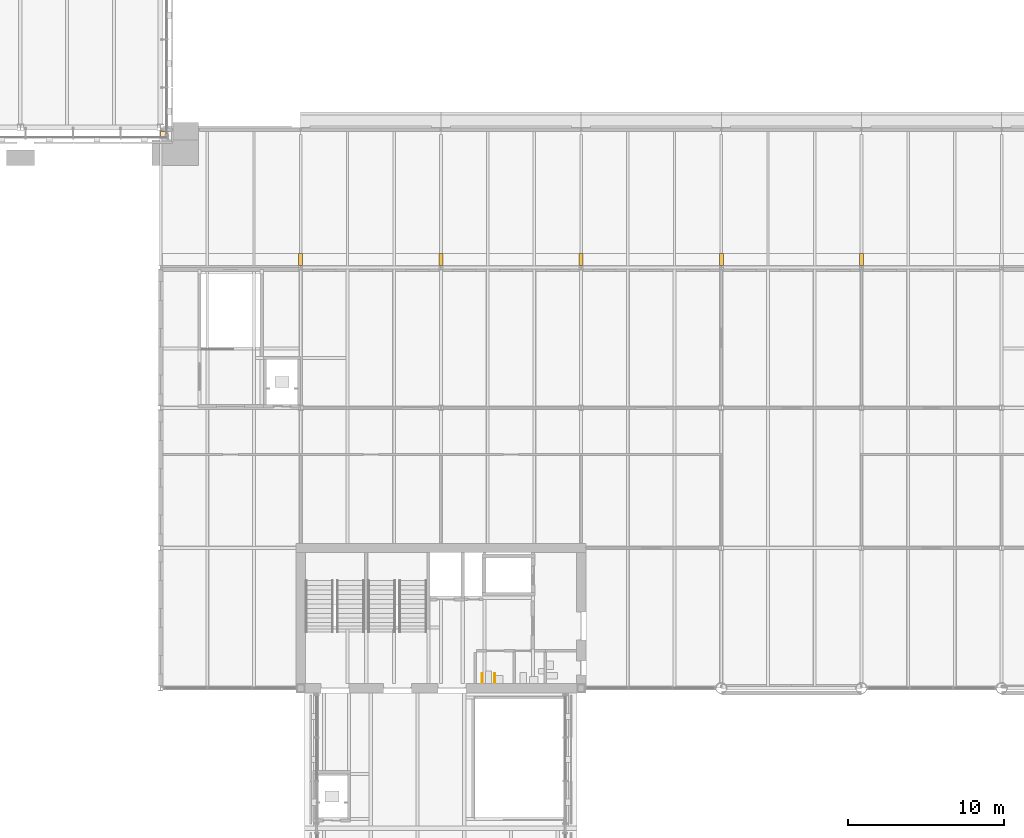
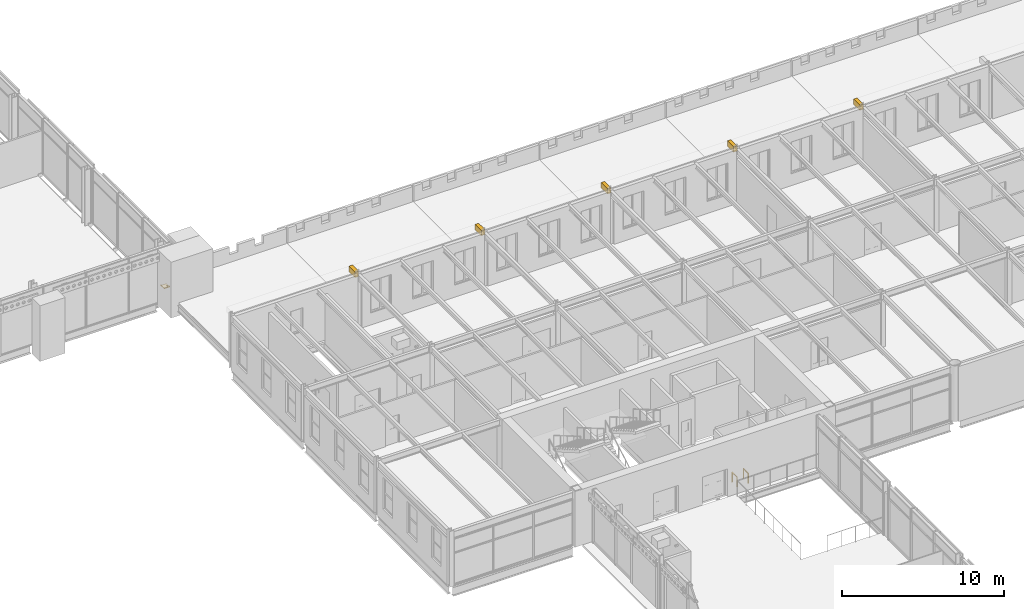
# One storey, part 115 of 123: 6 coverings, 2 railings.
"""IFC4 building model written with IfcOpenShell, lengths in metres."""

from ifc_helpers import new_model, si_unit, direction, frame, origin, origin_2d, place, context, subcontext, project, spatial, polyline, circle, outline, extrude, material, layer, layer_set, type_object, element, save


model = new_model("IFC4")

# Units and contexts
model_context = context("Model", 3, precision=1e-05, world=origin(), true_north=direction((0.0, 1.0)))
body_context = subcontext(model_context, "Body", "Model", "MODEL_VIEW")
ifc_project = project(units=[si_unit("LENGTHUNIT", "METRE"), si_unit("AREAUNIT", "SQUARE_METRE"), si_unit("VOLUMEUNIT", "CUBIC_METRE"), si_unit("PLANEANGLEUNIT", "RADIAN"), si_unit("MASSUNIT", "GRAM", prefix="KILO")], contexts=[model_context])

# Site, building, storey
site_placement = place(None, origin())
site = spatial("IfcSite", under=ifc_project, at=site_placement, CompositionType="ELEMENT")
building_placement = place(site_placement, origin())
building = spatial("IfcBuilding", under=site, at=building_placement, Name="Baradari Gate Terminus", CompositionType="ELEMENT")
storey_placement = place(building_placement, frame((0.0, 0.0, 7.5)))
storey = spatial("IfcBuildingStorey", under=building, at=storey_placement, Name="L01", CompositionType="ELEMENT", Elevation=7.5)

# Railings
ifc_material_1 = material(Name="Stainless steel 1.4301", Category="steel")
railing_type = type_object("IfcRailingType", Name="Grab rail GB-1 750", PredefinedType="HANDRAIL", material=ifc_material_1)
for number, where, name in (
    (1, (83.64990234375, 81.35009765625, 0.0), "Grab rail Accessible WC"),
    (2, (84.449951171875, 81.35009765625, 0.0), "Grab rail Accessible WC"),
):
    element("IfcRailing", number, at=place(storey_placement, frame(where)), inside=storey, type_object=railing_type, Name=name, PredefinedType="HANDRAIL", context=body_context, shape_type="SweptSolid", body=[
        extrude(circle(Radius=0.02392578125, at=origin_2d()), frame((0.0, 0.0, 0.72607421875), z_axis=(0.0, 1.0, 0.0), x_axis=(-1.0, 0.0, 0.0)), (0.0, 0.0, 1.0), 0.599853515625),
        extrude(circle(Radius=0.02099609375, at=origin_2d()), origin(), (0.0, 0.0, 1.0), 0.701904296875),
        extrude(circle(Radius=0.02099609375, at=origin_2d()), frame((0.0, 0.599853515625, 0.0)), (0.0, 0.0, 1.0), 0.701904296875),
    ])

# Coverings
ifc_material_2 = material(Name="Concrete C40/50", Category="concrete")
covering_type_1 = type_object("IfcCoveringType", Name="Precast cornice joint closer CO2", PredefinedType="CLADDING", material=ifc_material_2)
covering_1_placement = place(storey_placement, frame((0.0, 0.0, 3.64990234375)))
element("IfcCovering", 3, at=covering_1_placement, inside=storey, type_object=covering_type_1, Name="Precast cornice band joint closer", PredefinedType="CLADDING", context=body_context, shape_type="SweptSolid", body=[
    extrude(outline(polyline([(71.871826171875, 108.903564453125), (72.128173828125, 108.903564453125), (72.128173828125, 108.130126953125), (71.871826171875, 108.130126953125), (71.871826171875, 108.903564453125)])), origin(), (0.0, 0.0, 1.0), 0.400146484375),
])
covering_2_placement = place(storey_placement, frame((0.0, 0.0, 3.64990234375)))
element("IfcCovering", 4, at=covering_2_placement, inside=storey, type_object=covering_type_1, Name="Precast cornice band joint closer", PredefinedType="CLADDING", context=body_context, shape_type="SweptSolid", body=[
    extrude(outline(polyline([(80.871826171875, 108.903564453125), (81.128173828125, 108.903564453125), (81.128173828125, 108.130126953125), (80.871826171875, 108.130126953125), (80.871826171875, 108.903564453125)])), origin(), (0.0, 0.0, 1.0), 0.400146484375),
])
covering_3_placement = place(storey_placement, frame((0.0, 0.0, 3.64990234375)))
element("IfcCovering", 5, at=covering_3_placement, inside=storey, type_object=covering_type_1, Name="Precast cornice band joint closer", PredefinedType="CLADDING", context=body_context, shape_type="SweptSolid", body=[
    extrude(outline(polyline([(89.871826171875, 108.903564453125), (90.128173828125, 108.903564453125), (90.128173828125, 108.130126953125), (89.871826171875, 108.130126953125), (89.871826171875, 108.903564453125)])), origin(), (0.0, 0.0, 1.0), 0.400146484375),
])
covering_4_placement = place(storey_placement, frame((0.0, 0.0, 3.64990234375)))
element("IfcCovering", 6, at=covering_4_placement, inside=storey, type_object=covering_type_1, Name="Precast cornice band joint closer", PredefinedType="CLADDING", context=body_context, shape_type="SweptSolid", body=[
    extrude(outline(polyline([(98.871826171875, 108.903564453125), (99.128173828125, 108.903564453125), (99.128173828125, 108.130126953125), (98.871826171875, 108.130126953125), (98.871826171875, 108.903564453125)])), origin(), (0.0, 0.0, 1.0), 0.400146484375),
])
covering_5_placement = place(storey_placement, frame((0.0, 0.0, 3.64990234375)))
element("IfcCovering", 7, at=covering_5_placement, inside=storey, type_object=covering_type_1, Name="Precast cornice band joint closer", PredefinedType="CLADDING", context=body_context, shape_type="SweptSolid", body=[
    extrude(outline(polyline([(107.871826171875, 108.903564453125), (108.128173828125, 108.903564453125), (108.128173828125, 108.130126953125), (107.871826171875, 108.130126953125), (107.871826171875, 108.903564453125)])), origin(), (0.0, 0.0, 1.0), 0.400146484375),
])
ifc_material_3 = material(Name="Terracotta roof tiles", Category="masonry")
ifc_layer = layer(ifc_material_3, 0.06005859375)
ifc_layer_set = layer_set([ifc_layer], Name="Terracotta roof tiles")
covering_type_2 = type_object("IfcCoveringType", Name="Terracotta roof tiles RT-1 60", PredefinedType="ROOFING", material=ifc_layer_set)
covering_6_placement = place(storey_placement, frame((0.0, 0.0, 0.89990234375)))
element("IfcCovering", 8, at=covering_6_placement, inside=storey, type_object=covering_type_2, Name="Terracotta roof tiles RT-1 C01", PredefinedType="ROOFING", context=body_context, shape_type="SweptSolid", body=[
    extrude(outline(polyline([(63.0, 116.80322265625), (63.050048828125, 116.80322265625), (63.050048828125, 116.75), (63.37255859375, 116.75), (63.37255859375, 116.550048828125), (63.27001953125, 116.550048828125), (63.27001953125, 116.47998046875), (63.425048828125, 116.47998046875), (63.425048828125, 116.37744140625), (63.0, 116.37744140625), (63.0, 116.80322265625)])), origin(), (0.0, 0.0, 1.0), 0.06005859375),
])

save(model, "model.ifc")
